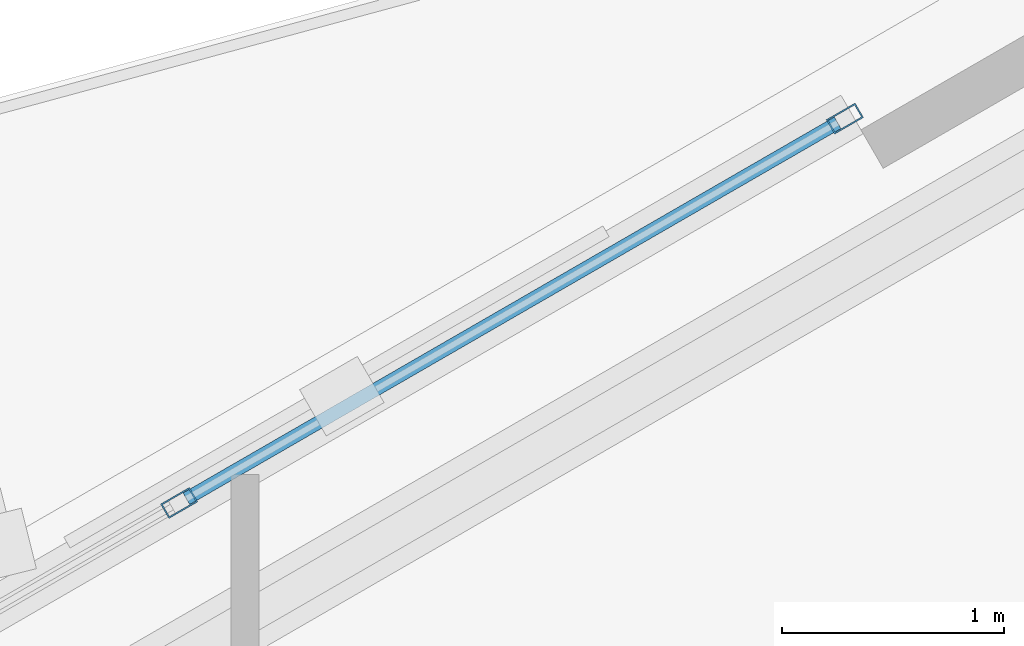
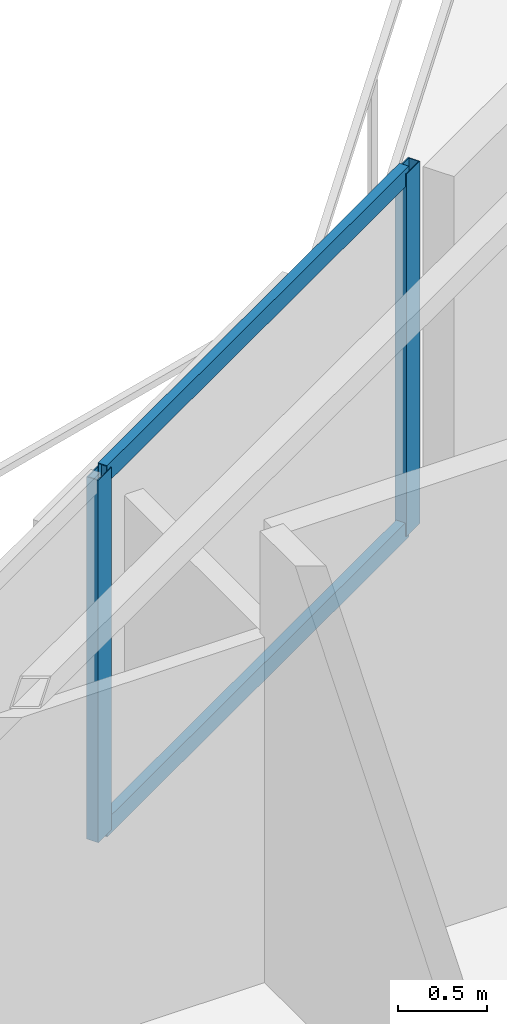
# One storey, part 10 of 18: 4 members, 1 element without a shape of its own.
"""IFC4 building model written with IfcOpenShell, lengths in metres."""

from ifc_helpers import new_model, si_unit, direction, frame, origin, origin_2d, place, context, subcontext, project, spatial, hollow_rectangle, extrude, material, layer, layer_set, material_profile, profile_set, type_object, element, aggregate, save


model = new_model("IFC4")

# Units and contexts
model_context = context("Model", 3, precision=1e-05, world=origin(), true_north=direction((0.0, 1.0)))
body_context = subcontext(model_context, "Body", "Model", "MODEL_VIEW")
ifc_project = project(units=[si_unit("LENGTHUNIT", "METRE"), si_unit("AREAUNIT", "SQUARE_METRE"), si_unit("VOLUMEUNIT", "CUBIC_METRE"), si_unit("PLANEANGLEUNIT", "RADIAN"), si_unit("MASSUNIT", "GRAM", prefix="KILO")], contexts=[model_context])

# Site, building, storey
site_placement = place(None, origin())
site = spatial("IfcSite", under=ifc_project, at=site_placement, CompositionType="ELEMENT")
building_placement = place(site_placement, origin())
building = spatial("IfcBuilding", under=site, at=building_placement, Name="Mersakhor Tower and Convention Hall", CompositionType="ELEMENT")
storey_placement = place(building_placement, frame((0.0, 0.0, 154.199951171875)))
storey = spatial("IfcBuildingStorey", under=building, at=storey_placement, Name="L43", CompositionType="ELEMENT", Elevation=154.199951171875)

# Curtain wall, members
ifc_material_1 = material(Name="Dark solar low-E aluminium curtain wall", Category="aluminium")
ifc_layer = layer(ifc_material_1, 0.169921875)
ifc_layer_set = layer_set([ifc_layer], Name="Dark solar low-E aluminium curtain wall")
curtain_wall_type = type_object("IfcCurtainWallType", Name="CW-SYS-02", PredefinedType="USERDEFINED", material=ifc_layer_set)
curtain_wall_placement = place(storey_placement, origin())
curtain_wall = element("IfcCurtainWall", 1, at=curtain_wall_placement, inside=storey, type_object=curtain_wall_type, Name="L43 Dark-Glass Curtain Wall F1-B2", ObjectType="CURTAIN WALL", PredefinedType="USERDEFINED")
ifc_material_2 = material(Name="Anodised aluminium EN AW-6063 T6", Category="aluminium")
ifc_material_profile_1 = material_profile(ifc_material_2, hollow_rectangle(XDim=0.074951171875, YDim=0.14990234375, WallThickness=0.00634765625, at=origin_2d()), Name="RHS 150x75x6.3")
ifc_profile_set_1 = profile_set([ifc_material_profile_1], Name="Anodised aluminium EN AW-6063 T6")
member_type_1 = type_object("IfcMemberType", Name="CWM-150x75", PredefinedType="MULLION", material=ifc_profile_set_1)
member_1_placement = place(storey_placement, frame((23.904052734375, 39.072021484375, 0.199951171875), z_axis=(0.0, 0.0, 1.0), x_axis=(-0.499990468363, 0.866030906807, 0.0)))
member_1 = element("IfcMember", 2, at=member_1_placement, type_object=member_type_1, Name="CW-02 mullion 3", PredefinedType="MULLION", context=body_context, shape_type="SweptSolid", body=[
    extrude(hollow_rectangle(XDim=0.074951171875, YDim=0.14990234375, WallThickness=0.00634765625, at=origin_2d()), origin(), (0.0, 0.0, 1.0), 2.47998046875),
])
member_2_placement = place(storey_placement, frame((26.8984375, 40.80078125, 0.199951171875), z_axis=(0.0, 0.0, 1.0), x_axis=(-0.499990468363, 0.866030906807, 0.0)))
member_2 = element("IfcMember", 3, at=member_2_placement, type_object=member_type_1, Name="CW-02 mullion 4", PredefinedType="MULLION", context=body_context, shape_type="SweptSolid", body=[
    extrude(hollow_rectangle(XDim=0.074951171875, YDim=0.14990234375, WallThickness=0.00634765625, at=origin_2d()), origin(), (0.0, 0.0, 1.0), 2.47998046875),
])
ifc_material_3 = material(Name="Anodised aluminium EN AW-6063 T6", Category="aluminium")
ifc_material_profile_2 = material_profile(ifc_material_3, hollow_rectangle(XDim=0.06005859375, YDim=0.1201171875, WallThickness=0.0048828125, at=origin_2d()), Name="RHS 120x60x5")
ifc_profile_set_2 = profile_set([ifc_material_profile_2], Name="Anodised aluminium EN AW-6063 T6")
member_type_2 = type_object("IfcMemberType", Name="CWT-120x60", PredefinedType="USERDEFINED", material=ifc_profile_set_2)
member_3_placement = place(storey_placement, frame((23.9365234375, 39.0908203125, 0.22998046875), z_axis=(0.866044963944, 0.49996611928, 0.0), x_axis=(-0.49996611928, 0.866044963944, 0.0)))
member_3 = element("IfcMember", 4, at=member_3_placement, type_object=member_type_2, Name="CW-02 transom 3.1", ObjectType="TRANSOM", PredefinedType="USERDEFINED", context=body_context, shape_type="SweptSolid", body=[
    extrude(hollow_rectangle(XDim=0.06005859375, YDim=0.1201171875, WallThickness=0.0048828125, at=origin_2d()), origin(), (0.0, 0.0, 1.0), 3.382568359375),
])
member_4_placement = place(storey_placement, frame((23.9365234375, 39.0908203125, 2.650146484375), z_axis=(0.866044963944, 0.49996611928, 0.0), x_axis=(-0.49996611928, 0.866044963944, 0.0)))
member_4 = element("IfcMember", 5, at=member_4_placement, type_object=member_type_2, Name="CW-02 transom 3.2", ObjectType="TRANSOM", PredefinedType="USERDEFINED", context=body_context, shape_type="SweptSolid", body=[
    extrude(hollow_rectangle(XDim=0.06005859375, YDim=0.1201171875, WallThickness=0.0048828125, at=origin_2d()), origin(), (0.0, 0.0, 1.0), 3.382568359375),
])
aggregate(curtain_wall, [member_1, member_2, member_3, member_4])

save(model, "model.ifc")
